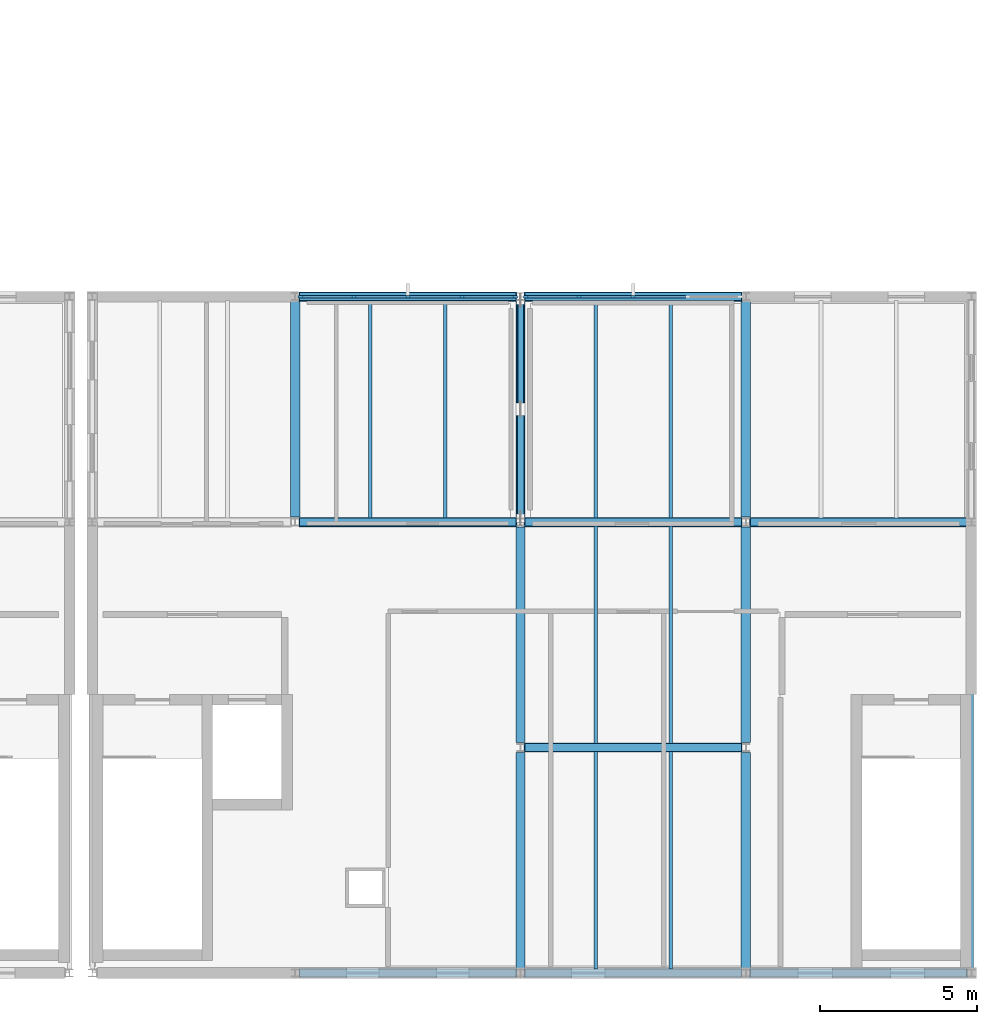
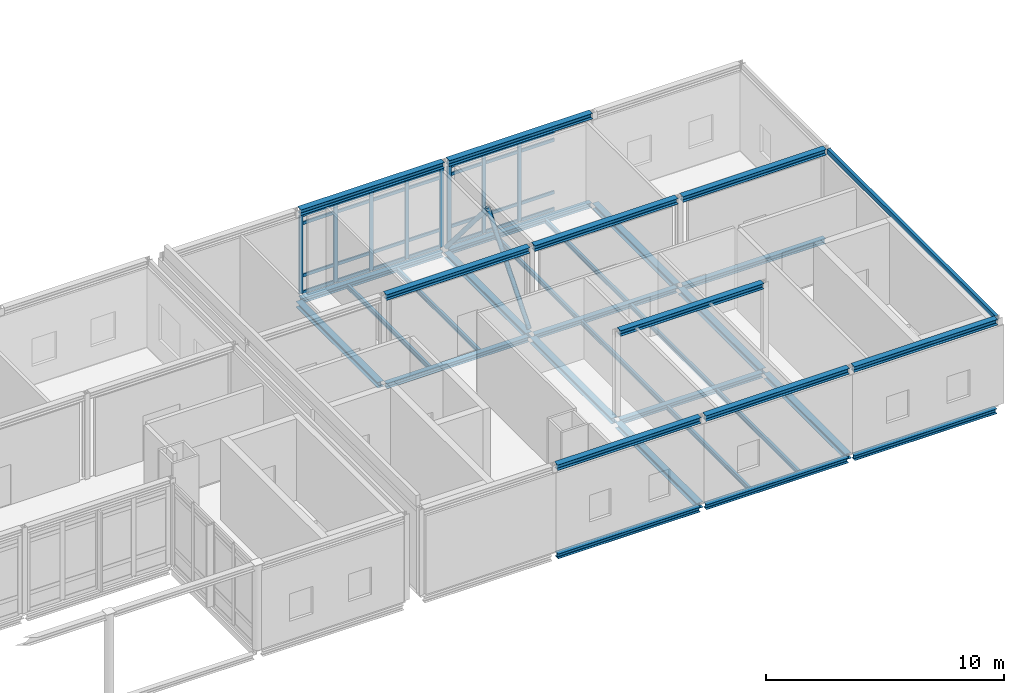
# One storey, part 15 of 43: 38 members, 34 beams, 2 elements without a shape of their own.
"""IFC4 building model written with IfcOpenShell, lengths in metres."""

import ifcopenshell
import ifcopenshell.guid

model = None  # the IFC model being written
_history = None  # IfcOwnerHistory: only IFC2X3 demands one
_inside = {}  # id of a spatial element -> (the spatial element, [elements in it])
_under = {}  # id of a project, library or spatial element -> (it, [spatial elements below it])
_declared = {}  # id of a project -> (the project, [libraries it declares])
_typed = {}  # id of a type object -> (the type object, [elements of that type])
_made_of = {}  # id of a material, layer set ... -> (it, [elements and type objects made of it])


def new_model(schema):
    """Start an empty IFC model of exactly this schema.

    Asked for "IFC4X3", IfcOpenShell would pick the latest addendum, in which some entities
    have other attributes; the version numbers below select the first issue.
    IFC2X3 requires an IfcOwnerHistory on every rooted entity: one is made here for all.
    """
    global model, _history
    if schema == "IFC4X3":
        model = ifcopenshell.file(schema_version=(4, 3, 0, 0))
    else:
        model = ifcopenshell.file(schema=schema)
    _inside.clear()
    _under.clear()
    _declared.clear()
    _typed.clear()
    _made_of.clear()
    _history = None
    if model.schema == "IFC2X3":
        org = make("IfcOrganization", Name="unknown")
        user = make(
            "IfcPersonAndOrganization",
            ThePerson=make("IfcPerson", FamilyName="unknown"),
            TheOrganization=org,
        )
        app = make(
            "IfcApplication",
            ApplicationDeveloper=org,
            Version="unknown",
            ApplicationFullName="unknown",
            ApplicationIdentifier="unknown",
        )
        _history = make(
            "IfcOwnerHistory",
            OwningUser=user,
            OwningApplication=app,
            ChangeAction="ADDED",
            CreationDate=0,
        )
    return model


def make(cls, **values):
    """One entity of the class cls with the attributes given. An attribute that is None is left unset."""
    return model.create_entity(
        cls, **{name: value for name, value in values.items() if value is not None}
    )


def rooted(cls, **values):
    """An entity with a GlobalId (a new one), such as an element, a storey or a relation."""
    return make(cls, GlobalId=ifcopenshell.guid.new(), OwnerHistory=_history, **values)


def si_unit(unit_type, name, prefix=None):
    """IfcSIUnit, for example si_unit("LENGTHUNIT", "METRE", prefix="MILLI")."""
    return make("IfcSIUnit", UnitType=unit_type, Prefix=prefix, Name=name)


def assignment(units):
    """IfcUnitAssignment: the units of a project."""
    return None if units is None else make("IfcUnitAssignment", Units=units)


def point(xyz):
    """IfcCartesianPoint."""
    return None if xyz is None else make("IfcCartesianPoint", Coordinates=xyz)


def direction(xyz):
    """IfcDirection."""
    return None if xyz is None else make("IfcDirection", DirectionRatios=xyz)


def frame(location, z_axis=None, x_axis=None):
    """IfcAxis2Placement3D, a coordinate frame: its origin and axes. An axis left out is left unset."""
    return make(
        "IfcAxis2Placement3D",
        Location=point(location),
        Axis=direction(z_axis),
        RefDirection=direction(x_axis),
    )


def frame_2d(location, x_axis=None):
    """IfcAxis2Placement2D, a coordinate frame in the plane: its origin and x axis."""
    return make(
        "IfcAxis2Placement2D", Location=point(location), RefDirection=direction(x_axis)
    )


def origin():
    """The frame at (0, 0, 0) with its axes left unset."""
    return frame((0.0, 0.0, 0.0))


def origin_2d():
    """The frame at (0, 0) in the plane with its x axis left unset."""
    return frame_2d((0.0, 0.0))


def place(relative_to, where):
    """IfcLocalPlacement: puts the frame where relative to a parent placement (None: the world)."""
    return make(
        "IfcLocalPlacement", PlacementRelTo=relative_to, RelativePlacement=where
    )


def context(
    kind, dimensions, precision=None, world=None, true_north=None, identifier=None
):
    """IfcGeometricRepresentationContext, for example the 3D "Model" context."""
    return make(
        "IfcGeometricRepresentationContext",
        ContextIdentifier=identifier,
        ContextType=kind,
        CoordinateSpaceDimension=dimensions,
        Precision=precision,
        WorldCoordinateSystem=world,
        TrueNorth=true_north,
    )


def subcontext(parent, identifier, kind, view, scale=None):
    """IfcGeometricRepresentationSubContext, for example "Body" below "Model"."""
    return make(
        "IfcGeometricRepresentationSubContext",
        ContextIdentifier=identifier,
        ContextType=kind,
        ParentContext=parent,
        TargetScale=scale,
        TargetView=view,
    )


def project(units=None, contexts=None):
    """IfcProject with its units and contexts."""
    return rooted(
        "IfcProject",
        Name="project",
        RepresentationContexts=contexts,
        UnitsInContext=assignment(units),
    )


def spatial(cls, under=None, at=None, **own):
    """A site, building, storey or space (cls), placed at a placement, below another one or the project."""
    s = rooted(cls, ObjectPlacement=at, **own)
    if under is not None:
        _under.setdefault(under.id(), (under, []))[1].append(s)
    return s


def profile(cls, at=None, kind="AREA", **sizes):
    """A parametric profile (cls). Its sizes go by their IFC names, for example OverallWidth=200.0."""
    return make(cls, ProfileType=kind, Position=at, **sizes)


def rectangle(**sizes):
    """IfcRectangleProfileDef."""
    return profile("IfcRectangleProfileDef", **sizes)


def hollow_rectangle(**sizes):
    """IfcRectangleHollowProfileDef."""
    return profile("IfcRectangleHollowProfileDef", **sizes)


def hollow_circle(**sizes):
    """IfcCircleHollowProfileDef."""
    return profile("IfcCircleHollowProfileDef", **sizes)


def i_section(**sizes):
    """IfcIShapeProfileDef."""
    return profile("IfcIShapeProfileDef", **sizes)


def extrude(swept, where, along, depth):
    """IfcExtrudedAreaSolid: the profile swept, set in the frame where, extruded along a direction by depth."""
    return make(
        "IfcExtrudedAreaSolid",
        SweptArea=swept,
        Position=where,
        ExtrudedDirection=direction(along),
        Depth=depth,
    )


def shape(context_of_items, identifier, shape_type, items):
    """IfcShapeRepresentation: the items that make up one representation, for example the "Body"."""
    return make(
        "IfcShapeRepresentation",
        ContextOfItems=context_of_items,
        RepresentationIdentifier=identifier,
        RepresentationType=shape_type,
        Items=items,
    )


def material(Name=None, Category=None):
    """IfcMaterial."""
    return make("IfcMaterial", Name=Name, Category=Category)


def layer(
    of_material, thickness, ventilated=None, Name=None, Category=None, Priority=None
):
    """IfcMaterialLayer: one layer of a wall or slab, of a material (None: an air gap)."""
    return make(
        "IfcMaterialLayer",
        Material=of_material,
        LayerThickness=thickness,
        IsVentilated=ventilated,
        Name=Name,
        Category=Category,
        Priority=Priority,
    )


def layer_set(layers, Name=None):
    """IfcMaterialLayerSet."""
    return make("IfcMaterialLayerSet", MaterialLayers=layers, LayerSetName=Name)


def material_profile(
    of_material, cross_section, Name=None, Category=None, Priority=None
):
    """IfcMaterialProfile: a cross section and its material."""
    return make(
        "IfcMaterialProfile",
        Name=Name,
        Material=of_material,
        Profile=cross_section,
        Priority=Priority,
        Category=Category,
    )


def profile_set(profiles, Name=None, composite=None):
    """IfcMaterialProfileSet."""
    return make(
        "IfcMaterialProfileSet",
        Name=Name,
        MaterialProfiles=profiles,
        CompositeProfile=composite,
    )


def made_of(thing, what):
    """Note that an element or type object is made of a material, layer set ...; save() writes the relation."""
    if what is not None:
        _made_of.setdefault(what.id(), (what, []))[1].append(thing)
    return thing


def type_object(cls, material=None, **own):
    """A type object (cls), such as IfcWallType, which elements share."""
    return made_of(rooted(cls, **own), material)


def element(
    cls,
    number,
    at=None,
    inside=None,
    cuts=None,
    type_object=None,
    material=None,
    context=None,
    identifier="Body",
    shape_type=None,
    held_by="IfcProductDefinitionShape",
    body=None,
    shapes=None,
    **own,
):
    """One element of the class cls, such as IfcWall. Its Tag is "e" and its number.

    at: its placement. inside: the storey or other place that contains it. cuts: it is an
    opening in that element (IfcRelVoidsElement). A single representation is given by context,
    identifier, shape_type and body (its items); several are given by shapes. held_by: the class
    of the entity that holds the representations. save() writes the other relations.
    """
    e = rooted(cls, Tag="e%d" % number, ObjectPlacement=at, **own)
    if body is not None:
        shapes = [shape(context, identifier, shape_type, body)]
    if shapes is not None:
        e.Representation = make(held_by, Representations=shapes)
    if inside is not None:
        _inside.setdefault(inside.id(), (inside, []))[1].append(e)
    if cuts is not None:
        rooted(
            "IfcRelVoidsElement", RelatingBuildingElement=cuts, RelatedOpeningElement=e
        )
    if type_object is not None:
        _typed.setdefault(type_object.id(), (type_object, []))[1].append(e)
    return made_of(e, material)


def aggregate(whole, parts):
    """IfcRelAggregates: a whole, such as a stair, and the parts it consists of."""
    return rooted("IfcRelAggregates", RelatingObject=whole, RelatedObjects=parts)


def save(model, path):
    """Write the relations noted so far, then the file.

    IfcRelAggregates (storeys below a building ...), IfcRelContainedInSpatialStructure (elements
    in a storey), IfcRelDefinesByType, IfcRelAssociatesMaterial and IfcRelDeclares: one each for
    every whole, place, type object, material and project.
    """
    for whole, parts in _under.values():
        aggregate(whole, parts)
    for where, things in _inside.values():
        rooted(
            "IfcRelContainedInSpatialStructure",
            RelatedElements=things,
            RelatingStructure=where,
        )
    for kind, things in _typed.values():
        rooted("IfcRelDefinesByType", RelatedObjects=things, RelatingType=kind)
    for what, things in _made_of.values():
        rooted("IfcRelAssociatesMaterial", RelatedObjects=things, RelatingMaterial=what)
    for by, libraries in _declared.values():
        rooted("IfcRelDeclares", RelatingContext=by, RelatedDefinitions=libraries)
    model.write(path)


model = new_model("IFC4")

# Units and contexts
model_context = context("Model", 3, precision=1e-05, world=origin(), true_north=direction((0.0, 1.0)))
body_context = subcontext(model_context, "Body", "Model", "MODEL_VIEW")
ifc_project = project(units=[si_unit("LENGTHUNIT", "METRE"), si_unit("AREAUNIT", "SQUARE_METRE"), si_unit("VOLUMEUNIT", "CUBIC_METRE"), si_unit("PLANEANGLEUNIT", "RADIAN"), si_unit("MASSUNIT", "GRAM", prefix="KILO")], contexts=[model_context])

# Site, building, storey
site_placement = place(None, origin())
site = spatial("IfcSite", under=ifc_project, at=site_placement, CompositionType="ELEMENT")
building_placement = place(site_placement, origin())
building = spatial("IfcBuilding", under=site, at=building_placement, Name="Zarrinpeak Specialist Clinic", CompositionType="ELEMENT")
storey_placement = place(building_placement, frame((0.0, 0.0, 18.39990234375)))
storey = spatial("IfcBuildingStorey", under=building, at=storey_placement, Name="L04", CompositionType="ELEMENT", Elevation=18.39990234375)

# Beams
ifc_material_1 = material(Name="Steel S355", Category="steel")
ifc_material_profile_1 = material_profile(ifc_material_1, i_section(OverallWidth=0.260009765625, OverallDepth=0.25, WebThickness=0.007568359375, FlangeThickness=0.012451171875, FilletRadius=0.02392578125, at=origin_2d()), Name="HEA 260")
ifc_profile_set_1 = profile_set([ifc_material_profile_1], Name="Steel S355")
beam_type_1 = type_object("IfcBeamType", Name="BM-HEA260", PredefinedType="BEAM", material=ifc_profile_set_1)
for number, where, z_axis, x_axis, name in (
    (1, (64.947998046875, 0.0, -0.324951171875), (1.0, 0.0, 0.0), (0.0, 1.0, 0.0), "L04 Primary Floor Girder BM-L04-X1817"),
    (2, (72.14794921875, 0.0, -0.324951171875), (1.0, 0.0, 0.0), (0.0, 1.0, 0.0), "L04 Primary Floor Girder BM-L04-X1818"),
    (3, (79.347900390625, 0.0, -0.324951171875), (1.0, 0.0, 0.0), (0.0, 1.0, 0.0), "L04 Primary Floor Girder BM-L04-X1819"),
    (4, (72.14794921875, 7.199951171875, -0.324951171875), (1.0, 0.0, 0.0), (0.0, 1.0, 0.0), "L04 Primary Floor Girder BM-L04-X1824"),
    (5, (64.947998046875, 14.39990234375, -0.324951171875), (1.0, 0.0, 0.0), (0.0, 1.0, 0.0), "L04 Primary Floor Girder BM-L04-X1832"),
    (6, (72.14794921875, 14.39990234375, -0.324951171875), (1.0, 0.0, 0.0), (0.0, 1.0, 0.0), "L04 Primary Floor Girder BM-L04-X1833"),
    (7, (79.347900390625, 14.39990234375, -0.324951171875), (1.0, 0.0, 0.0), (0.0, 1.0, 0.0), "L04 Primary Floor Girder BM-L04-X1834"),
    (8, (64.947998046875, 21.60009765625, -0.324951171875), (1.0, 0.0, 0.0), (0.0, 1.0, 0.0), "L04 Primary Floor Girder BM-L04-X1844"),
    (9, (72.14794921875, 21.60009765625, -0.324951171875), (1.0, 0.0, 0.0), (0.0, 1.0, 0.0), "L04 Primary Floor Girder BM-L04-X1845"),
):
    element("IfcBeam", number, at=place(storey_placement, frame(where, z_axis=z_axis, x_axis=x_axis)), inside=storey, type_object=beam_type_1, Name=name, PredefinedType="BEAM", context=body_context, shape_type="SweptSolid", body=[
        extrude(i_section(OverallWidth=0.260009765625, OverallDepth=0.25, WebThickness=0.007568359375, FlangeThickness=0.012451171875, FilletRadius=0.02392578125, at=origin_2d()), origin(), (0.0, 0.0, 1.0), 6.904052734375),
    ])
ifc_material_profile_2 = material_profile(ifc_material_1, i_section(OverallWidth=0.300048828125, OverallDepth=0.2900390625, WebThickness=0.008544921875, FlangeThickness=0.013916015625, FilletRadius=0.027099609375, at=origin_2d()), Name="HEA 300")
ifc_profile_set_2 = profile_set([ifc_material_profile_2], Name="Steel S355")
beam_type_2 = type_object("IfcBeamType", Name="BM-HEA300", PredefinedType="BEAM", material=ifc_profile_set_2)
beam_1_placement = place(storey_placement, frame((64.800048828125, 14.55810546875, -0.344970703125), z_axis=(0.0, 1.0, 0.0), x_axis=(-1.0, 0.0, 0.0)))
element("IfcBeam", 10, at=beam_1_placement, inside=storey, type_object=beam_type_2, Name="L04 Primary Beam BM-L04-Y1935", PredefinedType="BEAM", context=body_context, shape_type="SweptSolid", body=[
    extrude(i_section(OverallWidth=0.300048828125, OverallDepth=0.2900390625, WebThickness=0.008544921875, FlangeThickness=0.013916015625, FilletRadius=0.027099609375, at=origin_2d()), origin(), (0.0, 0.0, 1.0), 6.8837890625),
])
for number, where, z_axis, x_axis, name in (
    (11, (72.0, 0.157958984375, -0.344970703125), (0.0, 1.0, 0.0), (-1.0, 0.0, 0.0), "L04 Primary Beam BM-L04-Y1938"),
    (12, (72.0, 7.35791015625, -0.344970703125), (0.0, 1.0, 0.0), (-1.0, 0.0, 0.0), "L04 Primary Beam BM-L04-Y1939"),
):
    element("IfcBeam", number, at=place(storey_placement, frame(where, z_axis=z_axis, x_axis=x_axis)), inside=storey, type_object=beam_type_2, Name=name, PredefinedType="BEAM", context=body_context, shape_type="SweptSolid", body=[
        extrude(i_section(OverallWidth=0.300048828125, OverallDepth=0.2900390625, WebThickness=0.008544921875, FlangeThickness=0.013916015625, FilletRadius=0.027099609375, at=origin_2d()), origin(), (0.0, 0.0, 1.0), 6.884033203125),
    ])
beam_2_placement = place(storey_placement, frame((72.0, 14.55810546875, -0.344970703125), z_axis=(0.0, 1.0, 0.0), x_axis=(-1.0, 0.0, 0.0)))
element("IfcBeam", 13, at=beam_2_placement, inside=storey, type_object=beam_type_2, Name="L04 Primary Beam BM-L04-Y1940", PredefinedType="BEAM", context=body_context, shape_type="SweptSolid", body=[
    extrude(i_section(OverallWidth=0.300048828125, OverallDepth=0.2900390625, WebThickness=0.008544921875, FlangeThickness=0.013916015625, FilletRadius=0.027099609375, at=origin_2d()), origin(), (0.0, 0.0, 1.0), 6.8837890625),
])
for number, where, z_axis, x_axis, name in (
    (14, (79.199951171875, 0.157958984375, -0.344970703125), (0.0, 1.0, 0.0), (-1.0, 0.0, 0.0), "L04 Primary Beam BM-L04-Y1941"),
    (15, (79.199951171875, 7.35791015625, -0.344970703125), (0.0, 1.0, 0.0), (-1.0, 0.0, 0.0), "L04 Primary Beam BM-L04-Y1942"),
):
    element("IfcBeam", number, at=place(storey_placement, frame(where, z_axis=z_axis, x_axis=x_axis)), inside=storey, type_object=beam_type_2, Name=name, PredefinedType="BEAM", context=body_context, shape_type="SweptSolid", body=[
        extrude(i_section(OverallWidth=0.300048828125, OverallDepth=0.2900390625, WebThickness=0.008544921875, FlangeThickness=0.013916015625, FilletRadius=0.027099609375, at=origin_2d()), origin(), (0.0, 0.0, 1.0), 6.884033203125),
    ])
beam_3_placement = place(storey_placement, frame((79.199951171875, 14.55810546875, -0.344970703125), z_axis=(0.0, 1.0, 0.0), x_axis=(-1.0, 0.0, 0.0)))
element("IfcBeam", 16, at=beam_3_placement, inside=storey, type_object=beam_type_2, Name="L04 Primary Beam BM-L04-Y1943", PredefinedType="BEAM", context=body_context, shape_type="SweptSolid", body=[
    extrude(i_section(OverallWidth=0.300048828125, OverallDepth=0.2900390625, WebThickness=0.008544921875, FlangeThickness=0.013916015625, FilletRadius=0.027099609375, at=origin_2d()), origin(), (0.0, 0.0, 1.0), 6.8837890625),
])
for number, where, z_axis, x_axis, name in (
    (17, (64.91796875, 0.0, 4.25), (1.0, 0.0, 0.0), (0.0, 1.0, 0.0), "L04 Gable Eave Tie Girder V4 BM-RF-EAVE-2378"),
    (18, (72.117919921875, 0.0, 4.25), (1.0, 0.0, 0.0), (0.0, 1.0, 0.0), "L04 Gable Eave Tie Girder V4 BM-RF-EAVE-2379"),
):
    element("IfcBeam", number, at=place(storey_placement, frame(where, z_axis=z_axis, x_axis=x_axis)), inside=storey, type_object=beam_type_2, Name=name, PredefinedType="BEAM", context=body_context, shape_type="SweptSolid", body=[
        extrude(i_section(OverallWidth=0.300048828125, OverallDepth=0.2900390625, WebThickness=0.008544921875, FlangeThickness=0.013916015625, FilletRadius=0.027099609375, at=origin_2d()), origin(), (0.0, 0.0, 1.0), 6.964111328125),
    ])
beam_4_placement = place(storey_placement, frame((79.318115234375, 0.0, 4.25), z_axis=(1.0, 0.0, 0.0), x_axis=(0.0, 1.0, 0.0)))
element("IfcBeam", 19, at=beam_4_placement, inside=storey, type_object=beam_type_2, Name="L04 Gable Eave Tie Girder V4 BM-RF-EAVE-2380", PredefinedType="BEAM", context=body_context, shape_type="SweptSolid", body=[
    extrude(i_section(OverallWidth=0.300048828125, OverallDepth=0.2900390625, WebThickness=0.008544921875, FlangeThickness=0.013916015625, FilletRadius=0.027099609375, at=origin_2d()), origin(), (0.0, 0.0, 1.0), 6.9638671875),
])
for number, where, z_axis, x_axis, name in (
    (20, (72.117919921875, 7.199951171875, 4.25), (1.0, 0.0, 0.0), (0.0, 1.0, 0.0), "L04 Gable Eave Tie Girder V4 BM-RF-EAVE-2381"),
    (21, (64.91796875, 14.39990234375, 4.25), (1.0, 0.0, 0.0), (0.0, 1.0, 0.0), "L04 Gable Eave Tie Girder V4 BM-RF-EAVE-2383"),
    (22, (72.117919921875, 14.39990234375, 4.25), (1.0, 0.0, 0.0), (0.0, 1.0, 0.0), "L04 Gable Eave Tie Girder V4 BM-RF-EAVE-2384"),
):
    element("IfcBeam", number, at=place(storey_placement, frame(where, z_axis=z_axis, x_axis=x_axis)), inside=storey, type_object=beam_type_2, Name=name, PredefinedType="BEAM", context=body_context, shape_type="SweptSolid", body=[
        extrude(i_section(OverallWidth=0.300048828125, OverallDepth=0.2900390625, WebThickness=0.008544921875, FlangeThickness=0.013916015625, FilletRadius=0.027099609375, at=origin_2d()), origin(), (0.0, 0.0, 1.0), 6.964111328125),
    ])
beam_5_placement = place(storey_placement, frame((79.318115234375, 14.39990234375, 4.25), z_axis=(1.0, 0.0, 0.0), x_axis=(0.0, 1.0, 0.0)))
element("IfcBeam", 23, at=beam_5_placement, inside=storey, type_object=beam_type_2, Name="L04 Gable Eave Tie Girder V4 BM-RF-EAVE-2385", PredefinedType="BEAM", context=body_context, shape_type="SweptSolid", body=[
    extrude(i_section(OverallWidth=0.300048828125, OverallDepth=0.2900390625, WebThickness=0.008544921875, FlangeThickness=0.013916015625, FilletRadius=0.027099609375, at=origin_2d()), origin(), (0.0, 0.0, 1.0), 6.9638671875),
])
for number, where, z_axis, x_axis, name in (
    (24, (64.91796875, 21.60009765625, 4.25), (1.0, 0.0, 0.0), (0.0, 1.0, 0.0), "L04 Gable Eave Tie Girder V4 BM-RF-EAVE-2387"),
    (25, (72.117919921875, 21.60009765625, 4.25), (1.0, 0.0, 0.0), (0.0, 1.0, 0.0), "L04 Gable Eave Tie Girder V4 BM-RF-EAVE-2388"),
):
    element("IfcBeam", number, at=place(storey_placement, frame(where, z_axis=z_axis, x_axis=x_axis)), inside=storey, type_object=beam_type_2, Name=name, PredefinedType="BEAM", context=body_context, shape_type="SweptSolid", body=[
        extrude(i_section(OverallWidth=0.300048828125, OverallDepth=0.2900390625, WebThickness=0.008544921875, FlangeThickness=0.013916015625, FilletRadius=0.027099609375, at=origin_2d()), origin(), (0.0, 0.0, 1.0), 6.964111328125),
    ])
ifc_material_profile_3 = material_profile(ifc_material_1, i_section(OverallWidth=0.1201171875, OverallDepth=0.239990234375, WebThickness=0.006103515625, FlangeThickness=0.009765625, FilletRadius=0.014892578125, at=origin_2d()), Name="IPE 240")
ifc_profile_set_3 = profile_set([ifc_material_profile_3], Name="Steel S355")
beam_type_3 = type_object("IfcBeamType", Name="BM-JST240", PredefinedType="JOIST", material=ifc_profile_set_3)
for number, where, z_axis, x_axis, name in (
    (26, (67.199951171875, 14.528076171875, -0.31982421875), (0.0, 1.0, 0.0), (-1.0, 0.0, 0.0), "L04 Composite Floor Joist JST-L04-2003"),
    (27, (69.60009765625, 14.528076171875, -0.31982421875), (0.0, 1.0, 0.0), (-1.0, 0.0, 0.0), "L04 Composite Floor Joist JST-L04-2004"),
):
    element("IfcBeam", number, at=place(storey_placement, frame(where, z_axis=z_axis, x_axis=x_axis)), inside=storey, type_object=beam_type_3, Name=name, PredefinedType="JOIST", context=body_context, shape_type="SweptSolid", body=[
        extrude(i_section(OverallWidth=0.1201171875, OverallDepth=0.239990234375, WebThickness=0.006103515625, FlangeThickness=0.009765625, FilletRadius=0.014892578125, at=origin_2d()), origin(), (0.0, 0.0, 1.0), 6.94384765625),
    ])
for number, where, z_axis, x_axis, name in (
    (28, (74.39990234375, 0.1279296875, -0.31982421875), (0.0, 1.0, 0.0), (-1.0, 0.0, 0.0), "L04 Composite Floor Joist JST-L04-2005"),
    (29, (76.800048828125, 0.1279296875, -0.31982421875), (0.0, 1.0, 0.0), (-1.0, 0.0, 0.0), "L04 Composite Floor Joist JST-L04-2006"),
    (30, (74.39990234375, 7.327880859375, -0.31982421875), (0.0, 1.0, 0.0), (-1.0, 0.0, 0.0), "L04 Composite Floor Joist JST-L04-2007"),
    (31, (76.800048828125, 7.327880859375, -0.31982421875), (0.0, 1.0, 0.0), (-1.0, 0.0, 0.0), "L04 Composite Floor Joist JST-L04-2008"),
):
    element("IfcBeam", number, at=place(storey_placement, frame(where, z_axis=z_axis, x_axis=x_axis)), inside=storey, type_object=beam_type_3, Name=name, PredefinedType="JOIST", context=body_context, shape_type="SweptSolid", body=[
        extrude(i_section(OverallWidth=0.1201171875, OverallDepth=0.239990234375, WebThickness=0.006103515625, FlangeThickness=0.009765625, FilletRadius=0.014892578125, at=origin_2d()), origin(), (0.0, 0.0, 1.0), 6.944091796875),
    ])
for number, where, z_axis, x_axis, name in (
    (32, (74.39990234375, 14.528076171875, -0.31982421875), (0.0, 1.0, 0.0), (-1.0, 0.0, 0.0), "L04 Composite Floor Joist JST-L04-2009"),
    (33, (76.800048828125, 14.528076171875, -0.31982421875), (0.0, 1.0, 0.0), (-1.0, 0.0, 0.0), "L04 Composite Floor Joist JST-L04-2010"),
):
    element("IfcBeam", number, at=place(storey_placement, frame(where, z_axis=z_axis, x_axis=x_axis)), inside=storey, type_object=beam_type_3, Name=name, PredefinedType="JOIST", context=body_context, shape_type="SweptSolid", body=[
        extrude(i_section(OverallWidth=0.1201171875, OverallDepth=0.239990234375, WebThickness=0.006103515625, FlangeThickness=0.009765625, FilletRadius=0.014892578125, at=origin_2d()), origin(), (0.0, 0.0, 1.0), 6.94384765625),
    ])
ifc_material_profile_4 = material_profile(ifc_material_1, hollow_rectangle(XDim=0.14990234375, YDim=0.25, WallThickness=0.010009765625, at=origin_2d()), Name="RHS 250x150x10.0")
ifc_profile_set_4 = profile_set([ifc_material_profile_4], Name="Steel S355")
beam_type_4 = type_object("IfcBeamType", Name="BM-SP250", PredefinedType="SPANDREL", material=ifc_profile_set_4)
beam_6_placement = place(storey_placement, frame((86.39990234375, 0.117919921875, 4.25), z_axis=(0.0, 1.0, 0.0), x_axis=(-1.0, 0.0, 0.0)))
element("IfcBeam", 34, at=beam_6_placement, inside=storey, type_object=beam_type_4, Name="L04 Gable Eave Spandrel Beam V4 BM-RF-SP-2392", PredefinedType="SPANDREL", context=body_context, shape_type="SweptSolid", body=[
    extrude(hollow_rectangle(XDim=0.14990234375, YDim=0.25, WallThickness=0.010009765625, at=origin_2d()), origin(), (0.0, 0.0, 1.0), 14.1640625),
])

# Curtain wall, members
ifc_material_2 = material(Name="Anodised Aluminium Alloy 6063-T6", Category="aluminium")
ifc_layer = layer(ifc_material_2, 0.179931640625)
ifc_layer_set = layer_set([ifc_layer], Name="Anodised Aluminium Alloy 6063-T6")
curtain_wall_type = type_object("IfcCurtainWallType", Name="CW-COURT", PredefinedType="NOTDEFINED", material=ifc_layer_set)
curtain_wall_1_placement = place(storey_placement, origin())
curtain_wall_1 = element("IfcCurtainWall", 35, at=curtain_wall_1_placement, inside=storey, type_object=curtain_wall_type, Name="L04 V4 Unitised Curtain Wall CW-L04-V4-077", PredefinedType="NOTDEFINED")
ifc_material_profile_5 = material_profile(ifc_material_2, rectangle(XDim=0.074951171875, YDim=0.179931640625, at=origin_2d()), Name="ALU 75x180")
ifc_profile_set_5 = profile_set([ifc_material_profile_5], Name="Anodised Aluminium Alloy 6063-T6")
member_type_1 = type_object("IfcMemberType", Name="CWM-75", PredefinedType="MULLION", material=ifc_profile_set_5)
member_1_placement = place(storey_placement, frame((71.8173828125, 21.60009765625, 0.0), z_axis=(0.0, 0.0, 1.0), x_axis=(0.0, -1.0, 0.0)))
member_1 = element("IfcMember", 36, at=member_1_placement, type_object=member_type_1, Name="CW-01 mullion 1", PredefinedType="MULLION", context=body_context, shape_type="SweptSolid", body=[
    extrude(rectangle(XDim=0.074951171875, YDim=0.179931640625, at=origin_2d()), origin(), (0.0, 0.0, 1.0), 4.03515625),
])
member_2_placement = place(storey_placement, frame((70.12744140625, 21.60009765625, 0.0), z_axis=(0.0, 0.0, 1.0), x_axis=(0.0, -1.0, 0.0)))
member_2 = element("IfcMember", 37, at=member_2_placement, type_object=member_type_1, Name="CW-01 mullion 2", PredefinedType="MULLION", context=body_context, shape_type="SweptSolid", body=[
    extrude(rectangle(XDim=0.074951171875, YDim=0.179931640625, at=origin_2d()), origin(), (0.0, 0.0, 1.0), 4.03515625),
])
member_3_placement = place(storey_placement, frame((68.39990234375, 21.60009765625, 0.0), z_axis=(0.0, 0.0, 1.0), x_axis=(0.0, -1.0, 0.0)))
member_3 = element("IfcMember", 38, at=member_3_placement, type_object=member_type_1, Name="CW-01 mullion 3", PredefinedType="MULLION", context=body_context, shape_type="SweptSolid", body=[
    extrude(rectangle(XDim=0.074951171875, YDim=0.179931640625, at=origin_2d()), origin(), (0.0, 0.0, 1.0), 4.03515625),
])
member_4_placement = place(storey_placement, frame((66.672607421875, 21.60009765625, 0.0), z_axis=(0.0, 0.0, 1.0), x_axis=(0.0, -1.0, 0.0)))
member_4 = element("IfcMember", 39, at=member_4_placement, type_object=member_type_1, Name="CW-01 mullion 4", PredefinedType="MULLION", context=body_context, shape_type="SweptSolid", body=[
    extrude(rectangle(XDim=0.074951171875, YDim=0.179931640625, at=origin_2d()), origin(), (0.0, 0.0, 1.0), 4.03515625),
])
member_5_placement = place(storey_placement, frame((64.982421875, 21.60009765625, 0.0), z_axis=(0.0, 0.0, 1.0), x_axis=(0.0, -1.0, 0.0)))
member_5 = element("IfcMember", 40, at=member_5_placement, type_object=member_type_1, Name="CW-01 mullion 5", PredefinedType="MULLION", context=body_context, shape_type="SweptSolid", body=[
    extrude(rectangle(XDim=0.074951171875, YDim=0.179931640625, at=origin_2d()), origin(), (0.0, 0.0, 1.0), 4.03515625),
])

curtain_wall_2_placement = place(storey_placement, origin())
curtain_wall_2 = element("IfcCurtainWall", 41, at=curtain_wall_2_placement, inside=storey, type_object=curtain_wall_type, Name="L04 V4 Unitised Curtain Wall CW-L04-V4-078", PredefinedType="NOTDEFINED")
member_6_placement = place(storey_placement, frame((75.60009765625, 21.60009765625, 0.0), z_axis=(0.0, 0.0, 1.0), x_axis=(0.0, -1.0, 0.0)))
member_6 = element("IfcMember", 42, at=member_6_placement, type_object=member_type_1, Name="CW-01 mullion 3", PredefinedType="MULLION", context=body_context, shape_type="SweptSolid", body=[
    extrude(rectangle(XDim=0.074951171875, YDim=0.179931640625, at=origin_2d()), origin(), (0.0, 0.0, 1.0), 4.03515625),
])
member_7_placement = place(storey_placement, frame((73.87255859375, 21.60009765625, 0.0), z_axis=(0.0, 0.0, 1.0), x_axis=(0.0, -1.0, 0.0)))
member_7 = element("IfcMember", 43, at=member_7_placement, type_object=member_type_1, Name="CW-01 mullion 4", PredefinedType="MULLION", context=body_context, shape_type="SweptSolid", body=[
    extrude(rectangle(XDim=0.074951171875, YDim=0.179931640625, at=origin_2d()), origin(), (0.0, 0.0, 1.0), 4.03515625),
])
member_8_placement = place(storey_placement, frame((72.1826171875, 21.60009765625, 0.0), z_axis=(0.0, 0.0, 1.0), x_axis=(0.0, -1.0, 0.0)))
member_8 = element("IfcMember", 44, at=member_8_placement, type_object=member_type_1, Name="CW-01 mullion 5", PredefinedType="MULLION", context=body_context, shape_type="SweptSolid", body=[
    extrude(rectangle(XDim=0.074951171875, YDim=0.179931640625, at=origin_2d()), origin(), (0.0, 0.0, 1.0), 4.03515625),
])

# Member
ifc_material_profile_6 = material_profile(ifc_material_2, rectangle(XDim=0.074951171875, YDim=0.159912109375, at=origin_2d()), Name="ALU 75x160")
ifc_profile_set_6 = profile_set([ifc_material_profile_6], Name="Anodised Aluminium Alloy 6063-T6")
member_type_2 = type_object("IfcMemberType", Name="CWT-75", PredefinedType="USERDEFINED", material=ifc_profile_set_6)
member_9_placement = place(storey_placement, frame((71.780029296875, 21.60009765625, 0.03759765625), z_axis=(-1.0, 0.0, 0.0), x_axis=(0.0, -1.0, 0.0)))
member_9 = element("IfcMember", 45, at=member_9_placement, type_object=member_type_2, Name="CW-01 transom 1.1", ObjectType="TRANSOM", PredefinedType="USERDEFINED", context=body_context, shape_type="SweptSolid", body=[
    extrude(rectangle(XDim=0.074951171875, YDim=0.159912109375, at=origin_2d()), origin(), (0.0, 0.0, 1.0), 1.614990234375),
])

member_10_placement = place(storey_placement, frame((71.780029296875, 21.60009765625, 0.900146484375), z_axis=(-1.0, 0.0, 0.0), x_axis=(0.0, -1.0, 0.0)))
member_10 = element("IfcMember", 46, at=member_10_placement, type_object=member_type_2, Name="CW-01 transom 1.2", ObjectType="TRANSOM", PredefinedType="USERDEFINED", context=body_context, shape_type="SweptSolid", body=[
    extrude(rectangle(XDim=0.074951171875, YDim=0.159912109375, at=origin_2d()), origin(), (0.0, 0.0, 1.0), 1.614990234375),
])

member_11_placement = place(storey_placement, frame((71.780029296875, 21.60009765625, 3.585205078125), z_axis=(-1.0, 0.0, 0.0), x_axis=(0.0, -1.0, 0.0)))
member_11 = element("IfcMember", 47, at=member_11_placement, type_object=member_type_2, Name="CW-01 transom 1.3", ObjectType="TRANSOM", PredefinedType="USERDEFINED", context=body_context, shape_type="SweptSolid", body=[
    extrude(rectangle(XDim=0.074951171875, YDim=0.159912109375, at=origin_2d()), origin(), (0.0, 0.0, 1.0), 1.614990234375),
])

member_12_placement = place(storey_placement, frame((71.780029296875, 21.60009765625, 3.99755859375), z_axis=(-1.0, 0.0, 0.0), x_axis=(0.0, -1.0, 0.0)))
member_12 = element("IfcMember", 48, at=member_12_placement, type_object=member_type_2, Name="CW-01 transom 1.4", ObjectType="TRANSOM", PredefinedType="USERDEFINED", context=body_context, shape_type="SweptSolid", body=[
    extrude(rectangle(XDim=0.074951171875, YDim=0.159912109375, at=origin_2d()), origin(), (0.0, 0.0, 1.0), 1.614990234375),
])

member_13_placement = place(storey_placement, frame((70.090087890625, 21.60009765625, 0.03759765625), z_axis=(-1.0, 0.0, 0.0), x_axis=(0.0, -1.0, 0.0)))
member_13 = element("IfcMember", 49, at=member_13_placement, type_object=member_type_2, Name="CW-01 transom 2.1", ObjectType="TRANSOM", PredefinedType="USERDEFINED", context=body_context, shape_type="SweptSolid", body=[
    extrude(rectangle(XDim=0.074951171875, YDim=0.159912109375, at=origin_2d()), origin(), (0.0, 0.0, 1.0), 1.652587890625),
])

member_14_placement = place(storey_placement, frame((70.090087890625, 21.60009765625, 0.900146484375), z_axis=(-1.0, 0.0, 0.0), x_axis=(0.0, -1.0, 0.0)))
member_14 = element("IfcMember", 50, at=member_14_placement, type_object=member_type_2, Name="CW-01 transom 2.2", ObjectType="TRANSOM", PredefinedType="USERDEFINED", context=body_context, shape_type="SweptSolid", body=[
    extrude(rectangle(XDim=0.074951171875, YDim=0.159912109375, at=origin_2d()), origin(), (0.0, 0.0, 1.0), 1.652587890625),
])

member_15_placement = place(storey_placement, frame((70.090087890625, 21.60009765625, 3.585205078125), z_axis=(-1.0, 0.0, 0.0), x_axis=(0.0, -1.0, 0.0)))
member_15 = element("IfcMember", 51, at=member_15_placement, type_object=member_type_2, Name="CW-01 transom 2.3", ObjectType="TRANSOM", PredefinedType="USERDEFINED", context=body_context, shape_type="SweptSolid", body=[
    extrude(rectangle(XDim=0.074951171875, YDim=0.159912109375, at=origin_2d()), origin(), (0.0, 0.0, 1.0), 1.652587890625),
])

member_16_placement = place(storey_placement, frame((70.090087890625, 21.60009765625, 3.99755859375), z_axis=(-1.0, 0.0, 0.0), x_axis=(0.0, -1.0, 0.0)))
member_16 = element("IfcMember", 52, at=member_16_placement, type_object=member_type_2, Name="CW-01 transom 2.4", ObjectType="TRANSOM", PredefinedType="USERDEFINED", context=body_context, shape_type="SweptSolid", body=[
    extrude(rectangle(XDim=0.074951171875, YDim=0.159912109375, at=origin_2d()), origin(), (0.0, 0.0, 1.0), 1.652587890625),
])

member_17_placement = place(storey_placement, frame((68.362548828125, 21.60009765625, 0.03759765625), z_axis=(-1.0, 0.0, 0.0), x_axis=(0.0, -1.0, 0.0)))
member_17 = element("IfcMember", 53, at=member_17_placement, type_object=member_type_2, Name="CW-01 transom 3.1", ObjectType="TRANSOM", PredefinedType="USERDEFINED", context=body_context, shape_type="SweptSolid", body=[
    extrude(rectangle(XDim=0.074951171875, YDim=0.159912109375, at=origin_2d()), origin(), (0.0, 0.0, 1.0), 1.652587890625),
])

member_18_placement = place(storey_placement, frame((68.362548828125, 21.60009765625, 0.900146484375), z_axis=(-1.0, 0.0, 0.0), x_axis=(0.0, -1.0, 0.0)))
member_18 = element("IfcMember", 54, at=member_18_placement, type_object=member_type_2, Name="CW-01 transom 3.2", ObjectType="TRANSOM", PredefinedType="USERDEFINED", context=body_context, shape_type="SweptSolid", body=[
    extrude(rectangle(XDim=0.074951171875, YDim=0.159912109375, at=origin_2d()), origin(), (0.0, 0.0, 1.0), 1.652587890625),
])

member_19_placement = place(storey_placement, frame((68.362548828125, 21.60009765625, 3.585205078125), z_axis=(-1.0, 0.0, 0.0), x_axis=(0.0, -1.0, 0.0)))
member_19 = element("IfcMember", 55, at=member_19_placement, type_object=member_type_2, Name="CW-01 transom 3.3", ObjectType="TRANSOM", PredefinedType="USERDEFINED", context=body_context, shape_type="SweptSolid", body=[
    extrude(rectangle(XDim=0.074951171875, YDim=0.159912109375, at=origin_2d()), origin(), (0.0, 0.0, 1.0), 1.652587890625),
])

member_20_placement = place(storey_placement, frame((68.362548828125, 21.60009765625, 3.99755859375), z_axis=(-1.0, 0.0, 0.0), x_axis=(0.0, -1.0, 0.0)))
member_20 = element("IfcMember", 56, at=member_20_placement, type_object=member_type_2, Name="CW-01 transom 3.4", ObjectType="TRANSOM", PredefinedType="USERDEFINED", context=body_context, shape_type="SweptSolid", body=[
    extrude(rectangle(XDim=0.074951171875, YDim=0.159912109375, at=origin_2d()), origin(), (0.0, 0.0, 1.0), 1.652587890625),
])

member_21_placement = place(storey_placement, frame((66.635009765625, 21.60009765625, 0.03759765625), z_axis=(-1.0, 0.0, 0.0), x_axis=(0.0, -1.0, 0.0)))
member_21 = element("IfcMember", 57, at=member_21_placement, type_object=member_type_2, Name="CW-01 transom 4.1", ObjectType="TRANSOM", PredefinedType="USERDEFINED", context=body_context, shape_type="SweptSolid", body=[
    extrude(rectangle(XDim=0.074951171875, YDim=0.159912109375, at=origin_2d()), origin(), (0.0, 0.0, 1.0), 1.614990234375),
])

member_22_placement = place(storey_placement, frame((66.635009765625, 21.60009765625, 0.900146484375), z_axis=(-1.0, 0.0, 0.0), x_axis=(0.0, -1.0, 0.0)))
member_22 = element("IfcMember", 58, at=member_22_placement, type_object=member_type_2, Name="CW-01 transom 4.2", ObjectType="TRANSOM", PredefinedType="USERDEFINED", context=body_context, shape_type="SweptSolid", body=[
    extrude(rectangle(XDim=0.074951171875, YDim=0.159912109375, at=origin_2d()), origin(), (0.0, 0.0, 1.0), 1.614990234375),
])

member_23_placement = place(storey_placement, frame((66.635009765625, 21.60009765625, 3.585205078125), z_axis=(-1.0, 0.0, 0.0), x_axis=(0.0, -1.0, 0.0)))
member_23 = element("IfcMember", 59, at=member_23_placement, type_object=member_type_2, Name="CW-01 transom 4.3", ObjectType="TRANSOM", PredefinedType="USERDEFINED", context=body_context, shape_type="SweptSolid", body=[
    extrude(rectangle(XDim=0.074951171875, YDim=0.159912109375, at=origin_2d()), origin(), (0.0, 0.0, 1.0), 1.614990234375),
])

member_24_placement = place(storey_placement, frame((66.635009765625, 21.60009765625, 3.99755859375), z_axis=(-1.0, 0.0, 0.0), x_axis=(0.0, -1.0, 0.0)))
member_24 = element("IfcMember", 60, at=member_24_placement, type_object=member_type_2, Name="CW-01 transom 4.4", ObjectType="TRANSOM", PredefinedType="USERDEFINED", context=body_context, shape_type="SweptSolid", body=[
    extrude(rectangle(XDim=0.074951171875, YDim=0.159912109375, at=origin_2d()), origin(), (0.0, 0.0, 1.0), 1.614990234375),
])

aggregate(curtain_wall_1, [member_1, member_2, member_3, member_4, member_5, member_9, member_10, member_11, member_12, member_13, member_14, member_15, member_16, member_17, member_18, member_19, member_20, member_21, member_22, member_23, member_24])

member_25_placement = place(storey_placement, frame((77.2900390625, 21.60009765625, 0.03759765625), z_axis=(-1.0, 0.0, 0.0), x_axis=(0.0, -1.0, 0.0)))
member_25 = element("IfcMember", 61, at=member_25_placement, type_object=member_type_2, Name="CW-01 transom 2.1", ObjectType="TRANSOM", PredefinedType="USERDEFINED", context=body_context, shape_type="SweptSolid", body=[
    extrude(rectangle(XDim=0.074951171875, YDim=0.159912109375, at=origin_2d()), origin(), (0.0, 0.0, 1.0), 1.652587890625),
])

member_26_placement = place(storey_placement, frame((77.2900390625, 21.60009765625, 0.900146484375), z_axis=(-1.0, 0.0, 0.0), x_axis=(0.0, -1.0, 0.0)))
member_26 = element("IfcMember", 62, at=member_26_placement, type_object=member_type_2, Name="CW-01 transom 2.2", ObjectType="TRANSOM", PredefinedType="USERDEFINED", context=body_context, shape_type="SweptSolid", body=[
    extrude(rectangle(XDim=0.074951171875, YDim=0.159912109375, at=origin_2d()), origin(), (0.0, 0.0, 1.0), 1.652587890625),
])

member_27_placement = place(storey_placement, frame((77.2900390625, 21.60009765625, 3.585205078125), z_axis=(-1.0, 0.0, 0.0), x_axis=(0.0, -1.0, 0.0)))
member_27 = element("IfcMember", 63, at=member_27_placement, type_object=member_type_2, Name="CW-01 transom 2.3", ObjectType="TRANSOM", PredefinedType="USERDEFINED", context=body_context, shape_type="SweptSolid", body=[
    extrude(rectangle(XDim=0.074951171875, YDim=0.159912109375, at=origin_2d()), origin(), (0.0, 0.0, 1.0), 1.652587890625),
])

member_28_placement = place(storey_placement, frame((77.2900390625, 21.60009765625, 3.99755859375), z_axis=(-1.0, 0.0, 0.0), x_axis=(0.0, -1.0, 0.0)))
member_28 = element("IfcMember", 64, at=member_28_placement, type_object=member_type_2, Name="CW-01 transom 2.4", ObjectType="TRANSOM", PredefinedType="USERDEFINED", context=body_context, shape_type="SweptSolid", body=[
    extrude(rectangle(XDim=0.074951171875, YDim=0.159912109375, at=origin_2d()), origin(), (0.0, 0.0, 1.0), 1.652587890625),
])

member_29_placement = place(storey_placement, frame((75.5625, 21.60009765625, 0.03759765625), z_axis=(-1.0, 0.0, 0.0), x_axis=(0.0, -1.0, 0.0)))
member_29 = element("IfcMember", 65, at=member_29_placement, type_object=member_type_2, Name="CW-01 transom 3.1", ObjectType="TRANSOM", PredefinedType="USERDEFINED", context=body_context, shape_type="SweptSolid", body=[
    extrude(rectangle(XDim=0.074951171875, YDim=0.159912109375, at=origin_2d()), origin(), (0.0, 0.0, 1.0), 1.652587890625),
])

member_30_placement = place(storey_placement, frame((75.5625, 21.60009765625, 0.900146484375), z_axis=(-1.0, 0.0, 0.0), x_axis=(0.0, -1.0, 0.0)))
member_30 = element("IfcMember", 66, at=member_30_placement, type_object=member_type_2, Name="CW-01 transom 3.2", ObjectType="TRANSOM", PredefinedType="USERDEFINED", context=body_context, shape_type="SweptSolid", body=[
    extrude(rectangle(XDim=0.074951171875, YDim=0.159912109375, at=origin_2d()), origin(), (0.0, 0.0, 1.0), 1.652587890625),
])

member_31_placement = place(storey_placement, frame((75.5625, 21.60009765625, 3.585205078125), z_axis=(-1.0, 0.0, 0.0), x_axis=(0.0, -1.0, 0.0)))
member_31 = element("IfcMember", 67, at=member_31_placement, type_object=member_type_2, Name="CW-01 transom 3.3", ObjectType="TRANSOM", PredefinedType="USERDEFINED", context=body_context, shape_type="SweptSolid", body=[
    extrude(rectangle(XDim=0.074951171875, YDim=0.159912109375, at=origin_2d()), origin(), (0.0, 0.0, 1.0), 1.652587890625),
])

member_32_placement = place(storey_placement, frame((75.5625, 21.60009765625, 3.99755859375), z_axis=(-1.0, 0.0, 0.0), x_axis=(0.0, -1.0, 0.0)))
member_32 = element("IfcMember", 68, at=member_32_placement, type_object=member_type_2, Name="CW-01 transom 3.4", ObjectType="TRANSOM", PredefinedType="USERDEFINED", context=body_context, shape_type="SweptSolid", body=[
    extrude(rectangle(XDim=0.074951171875, YDim=0.159912109375, at=origin_2d()), origin(), (0.0, 0.0, 1.0), 1.652587890625),
])

member_33_placement = place(storey_placement, frame((73.8349609375, 21.60009765625, 0.03759765625), z_axis=(-1.0, 0.0, 0.0), x_axis=(0.0, -1.0, 0.0)))
member_33 = element("IfcMember", 69, at=member_33_placement, type_object=member_type_2, Name="CW-01 transom 4.1", ObjectType="TRANSOM", PredefinedType="USERDEFINED", context=body_context, shape_type="SweptSolid", body=[
    extrude(rectangle(XDim=0.074951171875, YDim=0.159912109375, at=origin_2d()), origin(), (0.0, 0.0, 1.0), 1.614990234375),
])

member_34_placement = place(storey_placement, frame((73.8349609375, 21.60009765625, 0.900146484375), z_axis=(-1.0, 0.0, 0.0), x_axis=(0.0, -1.0, 0.0)))
member_34 = element("IfcMember", 70, at=member_34_placement, type_object=member_type_2, Name="CW-01 transom 4.2", ObjectType="TRANSOM", PredefinedType="USERDEFINED", context=body_context, shape_type="SweptSolid", body=[
    extrude(rectangle(XDim=0.074951171875, YDim=0.159912109375, at=origin_2d()), origin(), (0.0, 0.0, 1.0), 1.614990234375),
])

member_35_placement = place(storey_placement, frame((73.8349609375, 21.60009765625, 3.585205078125), z_axis=(-1.0, 0.0, 0.0), x_axis=(0.0, -1.0, 0.0)))
member_35 = element("IfcMember", 71, at=member_35_placement, type_object=member_type_2, Name="CW-01 transom 4.3", ObjectType="TRANSOM", PredefinedType="USERDEFINED", context=body_context, shape_type="SweptSolid", body=[
    extrude(rectangle(XDim=0.074951171875, YDim=0.159912109375, at=origin_2d()), origin(), (0.0, 0.0, 1.0), 1.614990234375),
])

member_36_placement = place(storey_placement, frame((73.8349609375, 21.60009765625, 3.99755859375), z_axis=(-1.0, 0.0, 0.0), x_axis=(0.0, -1.0, 0.0)))
member_36 = element("IfcMember", 72, at=member_36_placement, type_object=member_type_2, Name="CW-01 transom 4.4", ObjectType="TRANSOM", PredefinedType="USERDEFINED", context=body_context, shape_type="SweptSolid", body=[
    extrude(rectangle(XDim=0.074951171875, YDim=0.159912109375, at=origin_2d()), origin(), (0.0, 0.0, 1.0), 1.614990234375),
])

aggregate(curtain_wall_2, [member_6, member_7, member_8, member_25, member_26, member_27, member_28, member_29, member_30, member_31, member_32, member_33, member_34, member_35, member_36])

# Members
ifc_material_profile_7 = material_profile(ifc_material_1, hollow_circle(Radius=0.109619140625, WallThickness=0.010009765625, at=origin_2d()), Name="CHS 219.1x10.0")
ifc_profile_set_7 = profile_set([ifc_material_profile_7], Name="Steel S355")
member_type_3 = type_object("IfcMemberType", Name="MB-BR219", PredefinedType="BRACE", material=ifc_profile_set_7)
for number, where, z_axis, x_axis, name in (
    (73, (72.0, 14.52001953125, 0.005126953125), (0.0, 0.647119815317, 0.762388316165), (-1.0, 0.0, 0.0), "V4 L04 Seismic Concentric Brace CBF-033"),
    (74, (72.0, 21.47998046875, 0.005126953125), (0.0, -0.647119815317, 0.762388316165), (1.0, 0.0, 0.0), "V4 L04 Seismic Concentric Brace CBF-034"),
):
    element("IfcMember", number, at=place(storey_placement, frame(where, z_axis=z_axis, x_axis=x_axis)), inside=storey, type_object=member_type_3, Name=name, PredefinedType="BRACE", context=body_context, shape_type="SweptSolid", body=[
        extrude(hollow_circle(Radius=0.109619140625, WallThickness=0.010009765625, at=origin_2d()), origin(), (0.0, 0.0, 1.0), 5.377685546875),
    ])

save(model, "model.ifc")
